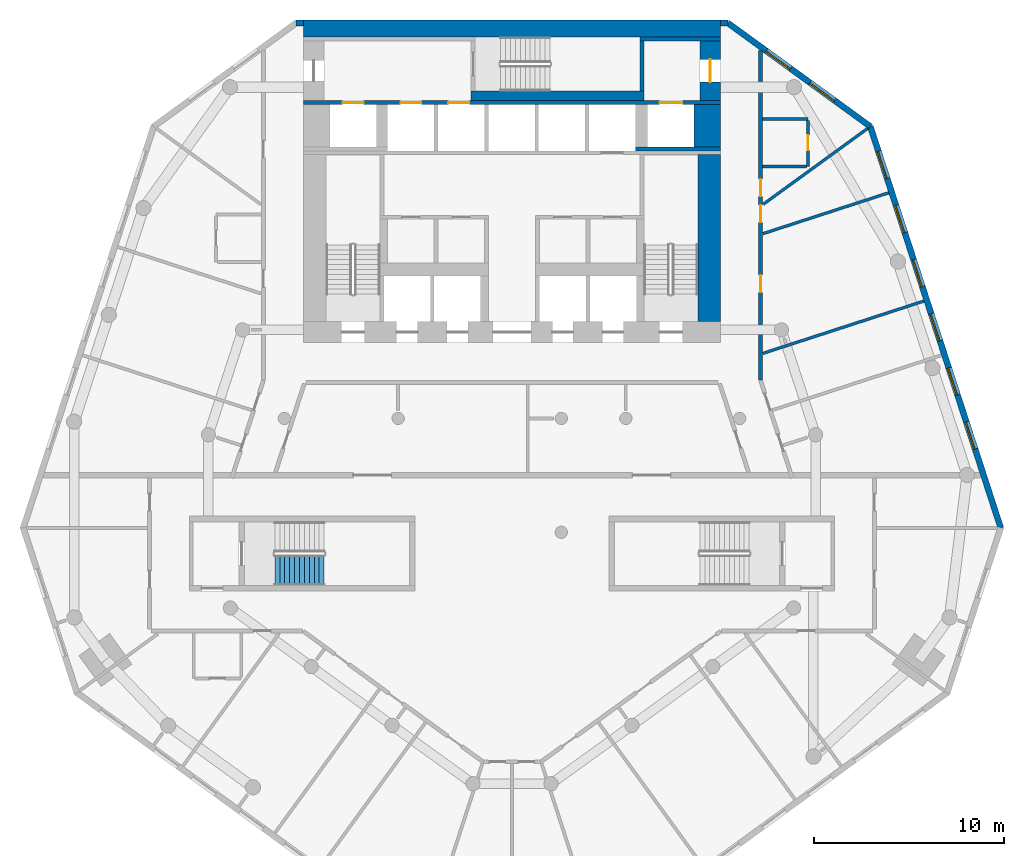
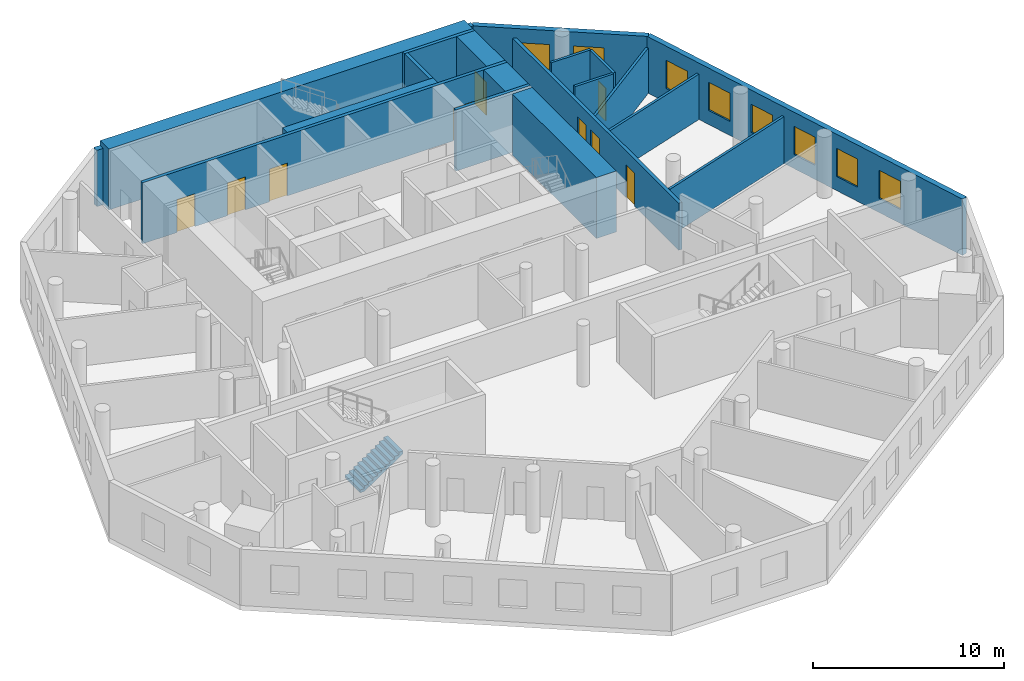
# One storey, part 6 of 9: 20 walls, 9 doors, 8 windows, 1 stair flight, 17 openings, 1 element without a shape of its own.
"""IFC4 building model written with IfcOpenShell, lengths in metres."""

from ifc_helpers import new_model, si_unit, direction, frame, frame_2d, origin, place, context, subcontext, project, spatial, polyline, rectangle, outline, extrude, material, layer, layer_set, type_object, element, fill, aggregate, save


model = new_model("IFC4")

# Units and contexts
model_context = context("Model", 3, precision=1e-05, world=origin(), true_north=direction((0.0, 1.0)))
body_context = subcontext(model_context, "Body", "Model", "MODEL_VIEW")
ifc_project = project(units=[si_unit("LENGTHUNIT", "METRE"), si_unit("AREAUNIT", "SQUARE_METRE"), si_unit("VOLUMEUNIT", "CUBIC_METRE"), si_unit("PLANEANGLEUNIT", "RADIAN"), si_unit("MASSUNIT", "GRAM", prefix="KILO")], contexts=[model_context])

# Site, building, storey
site_placement = place(None, origin())
site = spatial("IfcSite", under=ifc_project, at=site_placement, CompositionType="ELEMENT")
building_placement = place(site_placement, origin())
building = spatial("IfcBuilding", under=site, at=building_placement, Name="White Candle Pilgrim Tower", CompositionType="ELEMENT")
storey_placement = place(building_placement, frame((0.0, 0.0, 94.699951171875)))
storey = spatial("IfcBuildingStorey", under=building, at=storey_placement, Name="L20", CompositionType="ELEMENT", Elevation=94.699951171875)

# Wall, opening, door
ifc_material_1 = material(Name="Concrete C60/75", Category="concrete")
ifc_layer_1 = layer(ifc_material_1, 1.10009765625)
ifc_layer_set_1 = layer_set([ifc_layer_1], Name="Core wall 1100 mm Concrete C60/75")
wall_type_1 = type_object("IfcWallType", Name="Core wall 1100 mm Concrete C60/75", PredefinedType="SHEAR", material=ifc_layer_set_1)
wall_1_placement = place(storey_placement, frame((80.449951171875, 83.75, 0.0), z_axis=(0.0, 0.0, 1.0), x_axis=(0.0, 1.0, 0.0)))
wall_1 = element("IfcWall", 1, at=wall_1_placement, inside=storey, type_object=wall_type_1, Name="WL-L20-C46", PredefinedType="SHEAR", context=body_context, shape_type="SweptSolid", body=[
    extrude(rectangle(XDim=3.14990234375, YDim=1.10009765625, at=frame_2d((1.574951171875, 0.0))), origin(), (0.0, 0.0, 1.0), 3.900146484375),
])
opening_1_placement = place(wall_1_placement, frame((0.97509765625, 0.0, 0.0)))
opening_1 = element("IfcOpeningElement", 2, at=opening_1_placement, cuts=wall_1, Name="Opening T06-006", PredefinedType="OPENING", context=body_context, shape_type="SweptSolid", body=[
    extrude(rectangle(XDim=1.199951171875, YDim=2.10009765625, at=frame_2d((0.60009765625, 1.050048828125))), frame((0.0, 0.56005859375, 0.0), z_axis=(0.0, -1.0, 0.0), x_axis=(1.0, 0.0, 0.0)), (0.0, 0.0, 1.0), 1.1201171875),
])
ifc_material_2 = material(Name="Steel door leaf", Category="steel")
door_type_1 = type_object("IfcDoorType", Name="Fire door 1200 x 2100 EI 30", OperationType="NOTDEFINED", PredefinedType="DOOR", material=ifc_material_2)
door_1_placement = place(opening_1_placement, origin())
door_1 = element("IfcDoor", 3, at=door_1_placement, inside=storey, type_object=door_type_1, Name="Door T06-006", OperationType="SINGLE_SWING_RIGHT", OverallHeight=2.10009765625, OverallWidth=1.199951171875, PredefinedType="DOOR", context=body_context, shape_type="SweptSolid", body=[
    extrude(rectangle(XDim=1.199951171875, YDim=2.10009765625, at=frame_2d((0.60009765625, 1.050048828125))), frame((0.0, 0.02490234375, 0.0), z_axis=(0.0, -1.0, 0.0), x_axis=(1.0, 0.0, 0.0)), (0.0, 0.0, 1.0), 0.050048828125),
])
fill(opening_1, door_1)

# Walls
ifc_layer_2 = layer(ifc_material_1, 1.39990234375)
ifc_layer_set_2 = layer_set([ifc_layer_2], Name="Core wall 1400 mm Concrete C60/75")
wall_type_2 = type_object("IfcWallType", Name="Core wall 1400 mm Concrete C60/75", PredefinedType="SHEAR", material=ifc_layer_set_2)
wall_2_placement = place(storey_placement, frame((80.300048828125, 81.300048828125, 0.0), z_axis=(0.0, 0.0, 1.0), x_axis=(0.0, 1.0, 0.0)))
element("IfcWall", 4, at=wall_2_placement, inside=storey, type_object=wall_type_2, Name="WL-L20-C42", PredefinedType="SHEAR", context=body_context, shape_type="SweptSolid", body=[
    extrude(rectangle(XDim=2.25, YDim=1.39990234375, at=frame_2d((1.125, 0.0))), origin(), (0.0, 0.0, 1.0), 3.900146484375),
])
ifc_layer_3 = layer(ifc_material_1, 0.199951171875)
ifc_layer_set_3 = layer_set([ifc_layer_3], Name="Core wall 200 mm Concrete C60/75")
wall_type_3 = type_object("IfcWallType", Name="Core wall 200 mm Concrete C60/75", PredefinedType="SHEAR", material=ifc_layer_set_3)
wall_3_placement = place(storey_placement, frame((76.5, 81.199951171875, 0.0), z_axis=(0.0, 0.0, 1.0), x_axis=(1.0, 0.0, 0.0)))
element("IfcWall", 5, at=wall_3_placement, inside=storey, type_object=wall_type_3, Name="WL-L20-C38", PredefinedType="SHEAR", context=body_context, shape_type="SweptSolid", body=[
    extrude(rectangle(XDim=4.5, YDim=0.199951171875, at=frame_2d((2.25, 0.0))), origin(), (0.0, 0.0, 1.0), 3.900146484375),
])

# Wall, openings, doors
wall_4_placement = place(storey_placement, frame((59.0, 83.64990234375, 0.0), z_axis=(0.0, 0.0, 1.0), x_axis=(1.0, 0.0, 0.0)))
wall_4 = element("IfcWall", 6, at=wall_4_placement, inside=storey, type_object=wall_type_3, Name="WL-L20-C43", PredefinedType="SHEAR", context=body_context, shape_type="SweptSolid", body=[
    extrude(rectangle(XDim=22.0, YDim=0.199951171875, at=frame_2d((11.0, 0.0))), origin(), (0.0, 0.0, 1.0), 3.900146484375),
])
opening_2_placement = place(wall_4_placement, frame((5.125, 0.0, 0.0)))
opening_2 = element("IfcOpeningElement", 7, at=opening_2_placement, cuts=wall_4, Name="Opening T06-011", PredefinedType="OPENING", context=body_context, shape_type="SweptSolid", body=[
    extrude(rectangle(XDim=1.10009765625, YDim=2.10009765625, at=frame_2d((0.550048828125, 1.050048828125))), frame((0.0, 0.10986328125, 0.0), z_axis=(0.0, -1.0, 0.0), x_axis=(1.0, 0.0, 0.0)), (0.0, 0.0, 1.0), 0.219970703125),
])
opening_3_placement = place(wall_4_placement, frame((7.64990234375, 0.0, 0.0)))
opening_3 = element("IfcOpeningElement", 8, at=opening_3_placement, cuts=wall_4, Name="Opening T06-012", PredefinedType="OPENING", context=body_context, shape_type="SweptSolid", body=[
    extrude(rectangle(XDim=1.10009765625, YDim=2.10009765625, at=frame_2d((0.550048828125, 1.050048828125))), frame((0.0, 0.10986328125, 0.0), z_axis=(0.0, -1.0, 0.0), x_axis=(1.0, 0.0, 0.0)), (0.0, 0.0, 1.0), 0.219970703125),
])
opening_4_placement = place(wall_4_placement, frame((18.77490234375, 0.0, 0.0)))
opening_4 = element("IfcOpeningElement", 9, at=opening_4_placement, cuts=wall_4, Name="Opening T06-018", PredefinedType="OPENING", context=body_context, shape_type="SweptSolid", body=[
    extrude(rectangle(XDim=1.199951171875, YDim=2.10009765625, at=frame_2d((0.60009765625, 1.050048828125))), frame((0.0, 0.10986328125, 0.0), z_axis=(0.0, -1.0, 0.0), x_axis=(1.0, 0.0, 0.0)), (0.0, 0.0, 1.0), 0.219970703125),
])
opening_5_placement = place(wall_4_placement, frame((2.074951171875, 0.0, 0.0)))
opening_5 = element("IfcOpeningElement", 10, at=opening_5_placement, cuts=wall_4, Name="Opening T06-019", PredefinedType="OPENING", context=body_context, shape_type="SweptSolid", body=[
    extrude(rectangle(XDim=1.10009765625, YDim=2.10009765625, at=frame_2d((0.550048828125, 1.050048828125))), frame((0.0, 0.10986328125, 0.0), z_axis=(0.0, -1.0, 0.0), x_axis=(1.0, 0.0, 0.0)), (0.0, 0.0, 1.0), 0.219970703125),
])
ifc_material_3 = material(Name="Stainless steel", Category="steel")
door_type_2 = type_object("IfcDoorType", Name="Lift landing door 1100 x 2100 EI 60", OperationType="DOUBLE_DOOR_SLIDING", PredefinedType="DOOR", material=ifc_material_3)
door_2_placement = place(opening_2_placement, origin())
door_2 = element("IfcDoor", 11, at=door_2_placement, inside=storey, type_object=door_type_2, Name="Door T06-011", OperationType="DOUBLE_DOOR_SLIDING", OverallHeight=2.10009765625, OverallWidth=1.10009765625, PredefinedType="DOOR", context=body_context, shape_type="SweptSolid", body=[
    extrude(rectangle(XDim=1.10009765625, YDim=2.10009765625, at=frame_2d((0.550048828125, 1.050048828125))), frame((0.0, 0.02490234375, 0.0), z_axis=(0.0, -1.0, 0.0), x_axis=(1.0, 0.0, 0.0)), (0.0, 0.0, 1.0), 0.050048828125),
])
fill(opening_2, door_2)
door_3_placement = place(opening_3_placement, origin())
door_3 = element("IfcDoor", 12, at=door_3_placement, inside=storey, type_object=door_type_2, Name="Door T06-012", OperationType="DOUBLE_DOOR_SLIDING", OverallHeight=2.10009765625, OverallWidth=1.10009765625, PredefinedType="DOOR", context=body_context, shape_type="SweptSolid", body=[
    extrude(rectangle(XDim=1.10009765625, YDim=2.10009765625, at=frame_2d((0.550048828125, 1.050048828125))), frame((0.0, 0.02490234375, 0.0), z_axis=(0.0, -1.0, 0.0), x_axis=(1.0, 0.0, 0.0)), (0.0, 0.0, 1.0), 0.050048828125),
])
fill(opening_3, door_3)
door_4_placement = place(opening_5_placement, origin())
door_4 = element("IfcDoor", 13, at=door_4_placement, inside=storey, type_object=door_type_2, Name="Door T06-019", OperationType="DOUBLE_DOOR_SLIDING", OverallHeight=2.10009765625, OverallWidth=1.10009765625, PredefinedType="DOOR", context=body_context, shape_type="SweptSolid", body=[
    extrude(rectangle(XDim=1.10009765625, YDim=2.10009765625, at=frame_2d((0.550048828125, 1.050048828125))), frame((0.0, 0.02490234375, 0.0), z_axis=(0.0, -1.0, 0.0), x_axis=(1.0, 0.0, 0.0)), (0.0, 0.0, 1.0), 0.050048828125),
])
fill(opening_5, door_4)
door_type_3 = type_object("IfcDoorType", Name="Lift landing door 1200 x 2100 E 60", OperationType="DOUBLE_DOOR_SLIDING", PredefinedType="DOOR", material=ifc_material_3)
door_5_placement = place(opening_4_placement, origin())
door_5 = element("IfcDoor", 14, at=door_5_placement, inside=storey, type_object=door_type_3, Name="Door T06-018", OperationType="DOUBLE_DOOR_SLIDING", OverallHeight=2.10009765625, OverallWidth=1.199951171875, PredefinedType="DOOR", context=body_context, shape_type="SweptSolid", body=[
    extrude(rectangle(XDim=1.199951171875, YDim=2.10009765625, at=frame_2d((0.60009765625, 1.050048828125))), frame((0.0, 0.02490234375, 0.0), z_axis=(0.0, -1.0, 0.0), x_axis=(1.0, 0.0, 0.0)), (0.0, 0.0, 1.0), 0.050048828125),
])
fill(opening_4, door_5)

ifc_material_4 = material(Name="Gypsum board on steel studs", Category="steel")
ifc_layer_4 = layer(ifc_material_4, 0.199951171875)
ifc_layer_set_4 = layer_set([ifc_layer_4], Name="Corridor wall 200 mm EI 45")
wall_type_4 = type_object("IfcWallType", Name="Corridor wall 200 mm EI 45", PredefinedType="PARTITIONING", material=ifc_layer_set_4)
wall_5_placement = place(storey_placement, frame((83.10009765625, 86.396240234375, 0.0), z_axis=(0.0, 0.0, 1.0), x_axis=(0.0, -1.0, 0.0)))
wall_5 = element("IfcWall", 15, at=wall_5_placement, inside=storey, type_object=wall_type_4, Name="WL-L20-P004", PredefinedType="PARTITIONING", context=body_context, shape_type="SweptSolid", body=[
    extrude(rectangle(XDim=17.37451171875, YDim=0.199951171875, at=frame_2d((8.687255859375, 0.0))), origin(), (0.0, 0.0, 1.0), 3.0),
])
opening_6_placement = place(wall_5_placement, frame((6.785888671875, 0.0, 0.0)))
opening_6 = element("IfcOpeningElement", 16, at=opening_6_placement, cuts=wall_5, Name="Opening T06-123", PredefinedType="OPENING", context=body_context, shape_type="SweptSolid", body=[
    extrude(rectangle(XDim=0.89990234375, YDim=2.10009765625, at=frame_2d((0.449951171875, 1.050048828125))), frame((0.0, 0.10986328125, 0.0), z_axis=(0.0, -1.0, 0.0), x_axis=(1.0, 0.0, 0.0)), (0.0, 0.0, 1.0), 0.219970703125),
])
opening_7_placement = place(wall_5_placement, frame((8.156494140625, 0.0, 0.0)))
opening_7 = element("IfcOpeningElement", 17, at=opening_7_placement, cuts=wall_5, Name="Opening T06-124", PredefinedType="OPENING", context=body_context, shape_type="SweptSolid", body=[
    extrude(rectangle(XDim=0.89990234375, YDim=2.10009765625, at=frame_2d((0.449951171875, 1.050048828125))), frame((0.0, 0.10986328125, 0.0), z_axis=(0.0, -1.0, 0.0), x_axis=(1.0, 0.0, 0.0)), (0.0, 0.0, 1.0), 0.219970703125),
])
opening_8_placement = place(wall_5_placement, frame((11.8486328125, 0.0, 0.0)))
opening_8 = element("IfcOpeningElement", 18, at=opening_8_placement, cuts=wall_5, Name="Opening T06-125", PredefinedType="OPENING", context=body_context, shape_type="SweptSolid", body=[
    extrude(rectangle(XDim=0.89990234375, YDim=2.10009765625, at=frame_2d((0.449951171875, 1.050048828125))), frame((0.0, 0.10986328125, 0.0), z_axis=(0.0, -1.0, 0.0), x_axis=(1.0, 0.0, 0.0)), (0.0, 0.0, 1.0), 0.219970703125),
])
door_type_4 = type_object("IfcDoorType", Name="Fire door 900 x 2100 EI 30", OperationType="NOTDEFINED", PredefinedType="DOOR", material=ifc_material_2)
door_6_placement = place(opening_6_placement, origin())
door_6 = element("IfcDoor", 19, at=door_6_placement, inside=storey, type_object=door_type_4, Name="Door T06-123", OperationType="SINGLE_SWING_LEFT", OverallHeight=2.10009765625, OverallWidth=0.89990234375, PredefinedType="DOOR", context=body_context, shape_type="SweptSolid", body=[
    extrude(rectangle(XDim=0.89990234375, YDim=2.10009765625, at=frame_2d((0.449951171875, 1.050048828125))), frame((0.0, 0.02490234375, 0.0), z_axis=(0.0, -1.0, 0.0), x_axis=(1.0, 0.0, 0.0)), (0.0, 0.0, 1.0), 0.050048828125),
])
fill(opening_6, door_6)
door_7_placement = place(opening_7_placement, origin())
door_7 = element("IfcDoor", 20, at=door_7_placement, inside=storey, type_object=door_type_4, Name="Door T06-124", OperationType="SINGLE_SWING_RIGHT", OverallHeight=2.10009765625, OverallWidth=0.89990234375, PredefinedType="DOOR", context=body_context, shape_type="SweptSolid", body=[
    extrude(rectangle(XDim=0.89990234375, YDim=2.10009765625, at=frame_2d((0.449951171875, 1.050048828125))), frame((0.0, 0.02490234375, 0.0), z_axis=(0.0, -1.0, 0.0), x_axis=(1.0, 0.0, 0.0)), (0.0, 0.0, 1.0), 0.050048828125),
])
fill(opening_7, door_7)
door_8_placement = place(opening_8_placement, origin())
door_8 = element("IfcDoor", 21, at=door_8_placement, inside=storey, type_object=door_type_4, Name="Door T06-125", OperationType="SINGLE_SWING_LEFT", OverallHeight=2.10009765625, OverallWidth=0.89990234375, PredefinedType="DOOR", context=body_context, shape_type="SweptSolid", body=[
    extrude(rectangle(XDim=0.89990234375, YDim=2.10009765625, at=frame_2d((0.449951171875, 1.050048828125))), frame((0.0, 0.02490234375, 0.0), z_axis=(0.0, -1.0, 0.0), x_axis=(1.0, 0.0, 0.0)), (0.0, 0.0, 1.0), 0.050048828125),
])
fill(opening_8, door_8)

# Wall, openings, windows
ifc_material_5 = material(Name="Precast concrete C40/50", Category="concrete")
ifc_layer_5 = layer(ifc_material_5, 0.320068359375)
ifc_layer_set_5 = layer_set([ifc_layer_5], Name="Facade wall EW1 precast concrete C40/50 pier wall with timber-lined reveals")
wall_type_5 = type_object("IfcWallType", Name="Facade wall EW1 precast concrete C40/50 pier wall with timber-lined reveals", PredefinedType="SOLIDWALL", material=ifc_layer_set_5)
wall_6_placement = place(storey_placement, frame((95.762451171875, 61.230712890625, 0.0), z_axis=(0.0, 0.0, 1.0), x_axis=(-0.309018577053, 0.95105600205, 0.0)))
wall_6 = element("IfcWall", 22, at=wall_6_placement, inside=storey, type_object=wall_type_5, Name="Facade wall L20 ENE", PredefinedType="SOLIDWALL", context=body_context, shape_type="SweptSolid", body=[
    extrude(rectangle(XDim=22.2470703125, YDim=0.320068359375, at=frame_2d((11.12353515625, 0.0))), origin(), (0.0, 0.0, 1.0), 3.60009765625),
])
opening_9_placement = place(wall_6_placement, frame((4.37353515625, 0.0, 0.89990234375)))
opening_9 = element("IfcOpeningElement", 23, at=opening_9_placement, cuts=wall_6, Name="Opening W1", PredefinedType="OPENING", context=body_context, shape_type="SweptSolid", body=[
    extrude(rectangle(XDim=1.5, YDim=1.800048828125, at=frame_2d((0.75, 0.89990234375))), frame((0.0, 0.169921875, 0.0), z_axis=(0.0, -1.0, 0.0), x_axis=(1.0, 0.0, 0.0)), (0.0, 0.0, 1.0), 0.340087890625),
])
opening_10_placement = place(wall_6_placement, frame((7.37353515625, 0.0, 0.89990234375)))
opening_10 = element("IfcOpeningElement", 24, at=opening_10_placement, cuts=wall_6, Name="Opening W1", PredefinedType="OPENING", context=body_context, shape_type="SweptSolid", body=[
    extrude(rectangle(XDim=1.5, YDim=1.800048828125, at=frame_2d((0.75, 0.89990234375))), frame((0.0, 0.169921875, 0.0), z_axis=(0.0, -1.0, 0.0), x_axis=(1.0, 0.0, 0.0)), (0.0, 0.0, 1.0), 0.340087890625),
])
opening_11_placement = place(wall_6_placement, frame((10.37353515625, 0.0, 0.89990234375)))
opening_11 = element("IfcOpeningElement", 25, at=opening_11_placement, cuts=wall_6, Name="Opening W1", PredefinedType="OPENING", context=body_context, shape_type="SweptSolid", body=[
    extrude(rectangle(XDim=1.5, YDim=1.800048828125, at=frame_2d((0.75, 0.89990234375))), frame((0.0, 0.169921875, 0.0), z_axis=(0.0, -1.0, 0.0), x_axis=(1.0, 0.0, 0.0)), (0.0, 0.0, 1.0), 0.340087890625),
])
opening_12_placement = place(wall_6_placement, frame((13.37353515625, 0.0, 0.89990234375)))
opening_12 = element("IfcOpeningElement", 26, at=opening_12_placement, cuts=wall_6, Name="Opening W1", PredefinedType="OPENING", context=body_context, shape_type="SweptSolid", body=[
    extrude(rectangle(XDim=1.5, YDim=1.800048828125, at=frame_2d((0.75, 0.89990234375))), frame((0.0, 0.169921875, 0.0), z_axis=(0.0, -1.0, 0.0), x_axis=(1.0, 0.0, 0.0)), (0.0, 0.0, 1.0), 0.340087890625),
])
opening_13_placement = place(wall_6_placement, frame((16.37353515625, 0.0, 0.89990234375)))
opening_13 = element("IfcOpeningElement", 27, at=opening_13_placement, cuts=wall_6, Name="Opening W1", PredefinedType="OPENING", context=body_context, shape_type="SweptSolid", body=[
    extrude(rectangle(XDim=1.5, YDim=1.800048828125, at=frame_2d((0.75, 0.89990234375))), frame((0.0, 0.169921875, 0.0), z_axis=(0.0, -1.0, 0.0), x_axis=(1.0, 0.0, 0.0)), (0.0, 0.0, 1.0), 0.340087890625),
])
opening_14_placement = place(wall_6_placement, frame((19.37353515625, 0.0, 0.89990234375)))
opening_14 = element("IfcOpeningElement", 28, at=opening_14_placement, cuts=wall_6, Name="Opening W1", PredefinedType="OPENING", context=body_context, shape_type="SweptSolid", body=[
    extrude(rectangle(XDim=1.5, YDim=1.800048828125, at=frame_2d((0.75, 0.89990234375))), frame((0.0, 0.169921875, 0.0), z_axis=(0.0, -1.0, 0.0), x_axis=(1.0, 0.0, 0.0)), (0.0, 0.0, 1.0), 0.340087890625),
])
ifc_material_6 = material(Name="Timber frame with triple glazing", Category="wood")
window_type_1 = type_object("IfcWindowType", Name="Window W1 1500x1800 timber frame triple glazing", PartitioningType="SINGLE_PANEL", PredefinedType="WINDOW", material=ifc_material_6)
window_1_placement = place(opening_9_placement, origin())
window_1 = element("IfcWindow", 29, at=window_1_placement, inside=storey, type_object=window_type_1, Name="Window W1 L20 ENE 2", OverallHeight=1.800048828125, OverallWidth=1.5, PartitioningType="SINGLE_PANEL", PredefinedType="WINDOW", context=body_context, shape_type="SweptSolid", body=[
    extrude(rectangle(XDim=1.5, YDim=1.800048828125, at=frame_2d((0.75, 0.89990234375))), frame((0.0, 0.070068359375, 0.0), z_axis=(0.0, -1.0, 0.0), x_axis=(1.0, 0.0, 0.0)), (0.0, 0.0, 1.0), 0.06005859375),
])
fill(opening_9, window_1)
window_2_placement = place(opening_10_placement, origin())
window_2 = element("IfcWindow", 30, at=window_2_placement, inside=storey, type_object=window_type_1, Name="Window W1 L20 ENE 3", OverallHeight=1.800048828125, OverallWidth=1.5, PartitioningType="SINGLE_PANEL", PredefinedType="WINDOW", context=body_context, shape_type="SweptSolid", body=[
    extrude(rectangle(XDim=1.5, YDim=1.800048828125, at=frame_2d((0.75, 0.89990234375))), frame((0.0, 0.070068359375, 0.0), z_axis=(0.0, -1.0, 0.0), x_axis=(1.0, 0.0, 0.0)), (0.0, 0.0, 1.0), 0.06005859375),
])
fill(opening_10, window_2)
window_3_placement = place(opening_11_placement, origin())
window_3 = element("IfcWindow", 31, at=window_3_placement, inside=storey, type_object=window_type_1, Name="Window W1 L20 ENE 4", OverallHeight=1.800048828125, OverallWidth=1.5, PartitioningType="SINGLE_PANEL", PredefinedType="WINDOW", context=body_context, shape_type="SweptSolid", body=[
    extrude(rectangle(XDim=1.5, YDim=1.800048828125, at=frame_2d((0.75, 0.89990234375))), frame((0.0, 0.070068359375, 0.0), z_axis=(0.0, -1.0, 0.0), x_axis=(1.0, 0.0, 0.0)), (0.0, 0.0, 1.0), 0.06005859375),
])
fill(opening_11, window_3)
window_4_placement = place(opening_12_placement, origin())
window_4 = element("IfcWindow", 32, at=window_4_placement, inside=storey, type_object=window_type_1, Name="Window W1 L20 ENE 5", OverallHeight=1.800048828125, OverallWidth=1.5, PartitioningType="SINGLE_PANEL", PredefinedType="WINDOW", context=body_context, shape_type="SweptSolid", body=[
    extrude(rectangle(XDim=1.5, YDim=1.800048828125, at=frame_2d((0.75, 0.89990234375))), frame((0.0, 0.070068359375, 0.0), z_axis=(0.0, -1.0, 0.0), x_axis=(1.0, 0.0, 0.0)), (0.0, 0.0, 1.0), 0.06005859375),
])
fill(opening_12, window_4)
window_5_placement = place(opening_13_placement, origin())
window_5 = element("IfcWindow", 33, at=window_5_placement, inside=storey, type_object=window_type_1, Name="Window W1 L20 ENE 6", OverallHeight=1.800048828125, OverallWidth=1.5, PartitioningType="SINGLE_PANEL", PredefinedType="WINDOW", context=body_context, shape_type="SweptSolid", body=[
    extrude(rectangle(XDim=1.5, YDim=1.800048828125, at=frame_2d((0.75, 0.89990234375))), frame((0.0, 0.070068359375, 0.0), z_axis=(0.0, -1.0, 0.0), x_axis=(1.0, 0.0, 0.0)), (0.0, 0.0, 1.0), 0.06005859375),
])
fill(opening_13, window_5)
window_6_placement = place(opening_14_placement, origin())
window_6 = element("IfcWindow", 34, at=window_6_placement, inside=storey, type_object=window_type_1, Name="Window W1 L20 ENE 7", OverallHeight=1.800048828125, OverallWidth=1.5, PartitioningType="SINGLE_PANEL", PredefinedType="WINDOW", context=body_context, shape_type="SweptSolid", body=[
    extrude(rectangle(XDim=1.5, YDim=1.800048828125, at=frame_2d((0.75, 0.89990234375))), frame((0.0, 0.070068359375, 0.0), z_axis=(0.0, -1.0, 0.0), x_axis=(1.0, 0.0, 0.0)), (0.0, 0.0, 1.0), 0.06005859375),
])
fill(opening_14, window_6)

wall_7_placement = place(storey_placement, frame((88.8876953125, 82.388916015625, 0.0), z_axis=(0.0, 0.0, 1.0), x_axis=(-0.809009213142, 0.587795962092, 0.0)))
wall_7 = element("IfcWall", 35, at=wall_7_placement, inside=storey, type_object=wall_type_5, Name="Facade wall L20 NE chamfer", PredefinedType="SOLIDWALL", context=body_context, shape_type="SweptSolid", body=[
    extrude(rectangle(XDim=9.27392578125, YDim=0.320068359375, at=frame_2d((4.636962890625, 0.0))), origin(), (0.0, 0.0, 1.0), 3.60009765625),
])
opening_15_placement = place(wall_7_placement, frame((2.3369140625, 0.0, 0.89990234375)))
opening_15 = element("IfcOpeningElement", 36, at=opening_15_placement, cuts=wall_7, Name="Opening W2", PredefinedType="OPENING", context=body_context, shape_type="SweptSolid", body=[
    extrude(rectangle(XDim=1.60009765625, YDim=1.800048828125, at=frame_2d((0.800048828125, 0.89990234375))), frame((0.0, 0.169921875, 0.0), z_axis=(0.0, -1.0, 0.0), x_axis=(1.0, 0.0, 0.0)), (0.0, 0.0, 1.0), 0.340087890625),
])
opening_16_placement = place(wall_7_placement, frame((5.18701171875, 0.0, 0.89990234375)))
opening_16 = element("IfcOpeningElement", 37, at=opening_16_placement, cuts=wall_7, Name="Opening W2", PredefinedType="OPENING", context=body_context, shape_type="SweptSolid", body=[
    extrude(rectangle(XDim=1.60009765625, YDim=1.800048828125, at=frame_2d((0.800048828125, 0.89990234375))), frame((0.0, 0.169921875, 0.0), z_axis=(0.0, -1.0, 0.0), x_axis=(1.0, 0.0, 0.0)), (0.0, 0.0, 1.0), 0.340087890625),
])
window_type_2 = type_object("IfcWindowType", Name="Window W2 1600x1800 timber frame triple glazing", PartitioningType="SINGLE_PANEL", PredefinedType="WINDOW", material=ifc_material_6)
window_7_placement = place(opening_15_placement, origin())
window_7 = element("IfcWindow", 38, at=window_7_placement, inside=storey, type_object=window_type_2, Name="Window W2 L20 NE chamfer 1", OverallHeight=1.800048828125, OverallWidth=1.60009765625, PartitioningType="SINGLE_PANEL", PredefinedType="WINDOW", context=body_context, shape_type="SweptSolid", body=[
    extrude(rectangle(XDim=1.60009765625, YDim=1.800048828125, at=frame_2d((0.800048828125, 0.89990234375))), frame((0.0, 0.070068359375, 0.0), z_axis=(0.0, -1.0, 0.0), x_axis=(1.0, 0.0, 0.0)), (0.0, 0.0, 1.0), 0.06005859375),
])
fill(opening_15, window_7)
window_8_placement = place(opening_16_placement, origin())
window_8 = element("IfcWindow", 39, at=window_8_placement, inside=storey, type_object=window_type_2, Name="Window W2 L20 NE chamfer 2", OverallHeight=1.800048828125, OverallWidth=1.60009765625, PartitioningType="SINGLE_PANEL", PredefinedType="WINDOW", context=body_context, shape_type="SweptSolid", body=[
    extrude(rectangle(XDim=1.60009765625, YDim=1.800048828125, at=frame_2d((0.800048828125, 0.89990234375))), frame((0.0, 0.070068359375, 0.0), z_axis=(0.0, -1.0, 0.0), x_axis=(1.0, 0.0, 0.0)), (0.0, 0.0, 1.0), 0.06005859375),
])
fill(opening_16, window_8)

# Walls
for number, where, z_axis, x_axis, name in (
    (40, (81.385009765625, 87.840087890625, 0.0), (0.0, 0.0, 1.0), (-1.0, 0.0, 0.0), "Facade wall L20 N"),
    (41, (59.0, 87.840087890625, 0.0), (0.0, 0.0, 1.0), (-1.0, 0.0, 0.0), "Facade wall L20 N"),
):
    element("IfcWall", number, at=place(storey_placement, frame(where, z_axis=z_axis, x_axis=x_axis)), inside=storey, type_object=wall_type_5, Name=name, PredefinedType="SOLIDWALL", context=body_context, shape_type="SweptSolid", body=[
        extrude(rectangle(XDim=0.385009765625, YDim=0.320068359375, at=frame_2d((0.1923828125, 0.0))), origin(), (0.0, 0.0, 1.0), 3.60009765625),
    ])
ifc_layer_6 = layer(ifc_material_4, 0.14990234375)
ifc_layer_set_6 = layer_set([ifc_layer_6], Name="Partition 150 mm EI 60")
wall_type_6 = type_object("IfcWallType", Name="Partition 150 mm EI 60", PredefinedType="PARTITIONING", material=ifc_layer_set_6)
wall_8_placement = place(storey_placement, frame((88.751708984375, 82.2900390625, 0.0), z_axis=(0.0, 0.0, 1.0), x_axis=(-0.809035290939, -0.587760068408, 0.0)))
element("IfcWall", 42, at=wall_8_placement, inside=storey, type_object=wall_type_6, Name="WL-L20-P023", PredefinedType="PARTITIONING", context=body_context, shape_type="SweptSolid", body=[
    extrude(rectangle(XDim=6.8076171875, YDim=0.14990234375, at=frame_2d((3.40380859375, 0.0))), origin(), (0.0, 0.0, 1.0), 2.900146484375),
])
wall_9_placement = place(storey_placement, frame((91.70947265625, 73.18701171875, 0.0), z_axis=(0.0, 0.0, 1.0), x_axis=(-0.951058193987, -0.309011830923, 0.0)))
element("IfcWall", 43, at=wall_9_placement, inside=storey, type_object=wall_type_6, Name="WL-L20-P040", PredefinedType="PARTITIONING", context=body_context, shape_type="SweptSolid", body=[
    extrude(rectangle(XDim=8.923095703125, YDim=0.14990234375, at=frame_2d((4.46142578125, 0.0))), origin(), (0.0, 0.0, 1.0), 3.0),
])
wall_10_placement = place(storey_placement, frame((89.855224609375, 78.893310546875, 0.0), z_axis=(0.0, 0.0, 1.0), x_axis=(-0.951050790673, -0.309034615471, 0.0)))
element("IfcWall", 44, at=wall_10_placement, inside=storey, type_object=wall_type_6, Name="WL-L20-P041", PredefinedType="PARTITIONING", context=body_context, shape_type="SweptSolid", body=[
    extrude(rectangle(XDim=6.973388671875, YDim=0.14990234375, at=frame_2d((3.48681640625, 0.0))), origin(), (0.0, 0.0, 1.0), 2.900146484375),
])
wall_11_placement = place(storey_placement, frame((83.199951171875, 82.783935546875, 0.0), z_axis=(0.0, 0.0, 1.0), x_axis=(1.0, 0.0, 0.0)))
element("IfcWall", 45, at=wall_11_placement, inside=storey, type_object=wall_type_6, Name="WL-L20-P042", PredefinedType="PARTITIONING", context=body_context, shape_type="SweptSolid", body=[
    extrude(rectangle(XDim=2.400146484375, YDim=0.14990234375, at=frame_2d((1.2001953125, 0.0))), origin(), (0.0, 0.0, 1.0), 3.60009765625),
])

# Wall, opening, door
wall_12_placement = place(storey_placement, frame((85.60009765625, 80.283935546875, 0.0), z_axis=(0.0, 0.0, 1.0), x_axis=(0.0, 1.0, 0.0)))
wall_12 = element("IfcWall", 46, at=wall_12_placement, inside=storey, type_object=wall_type_6, Name="WL-L20-P043", PredefinedType="PARTITIONING", context=body_context, shape_type="SweptSolid", body=[
    extrude(rectangle(XDim=2.425048828125, YDim=0.14990234375, at=frame_2d((1.21240234375, 0.0))), origin(), (0.0, 0.0, 1.0), 3.60009765625),
])
opening_17_placement = place(wall_12_placement, frame((0.85009765625, 0.0, 0.0)))
opening_17 = element("IfcOpeningElement", 47, at=opening_17_placement, cuts=wall_12, Name="Opening T06-115", PredefinedType="OPENING", context=body_context, shape_type="SweptSolid", body=[
    extrude(rectangle(XDim=0.800048828125, YDim=2.10009765625, at=frame_2d((0.39990234375, 1.050048828125))), frame((0.0, 0.0849609375, 0.0), z_axis=(0.0, -1.0, 0.0), x_axis=(1.0, 0.0, 0.0)), (0.0, 0.0, 1.0), 0.169921875),
])
door_type_5 = type_object("IfcDoorType", Name="Fire door 800 x 2100 EI 30", OperationType="NOTDEFINED", PredefinedType="DOOR", material=ifc_material_2)
door_9_placement = place(opening_17_placement, frame((0.800048828125, 0.0, 0.0), z_axis=(0.0, 0.0, 1.0), x_axis=(-1.0, 0.0, 0.0)))
door_9 = element("IfcDoor", 48, at=door_9_placement, inside=storey, type_object=door_type_5, Name="Door T06-115", OperationType="SINGLE_SWING_RIGHT", OverallHeight=2.10009765625, OverallWidth=0.800048828125, PredefinedType="DOOR", context=body_context, shape_type="SweptSolid", body=[
    extrude(rectangle(XDim=0.800048828125, YDim=2.10009765625, at=frame_2d((0.39990234375, 1.050048828125))), frame((0.0, 0.02490234375, 0.0), z_axis=(0.0, -1.0, 0.0), x_axis=(1.0, 0.0, 0.0)), (0.0, 0.0, 1.0), 0.050048828125),
])
fill(opening_17, door_9)

# Walls
wall_13_placement = place(storey_placement, frame((83.199951171875, 80.283935546875, 0.0), z_axis=(0.0, 0.0, 1.0), x_axis=(1.0, 0.0, 0.0)))
element("IfcWall", 49, at=wall_13_placement, inside=storey, type_object=wall_type_6, Name="WL-L20-P044", PredefinedType="PARTITIONING", context=body_context, shape_type="SweptSolid", body=[
    extrude(rectangle(XDim=2.324951171875, YDim=0.14990234375, at=frame_2d((1.16259765625, 0.0))), origin(), (0.0, 0.0, 1.0), 3.60009765625),
])
ifc_layer_7 = layer(ifc_material_1, 1.199951171875)
ifc_layer_set_7 = layer_set([ifc_layer_7], Name="Stair shaft wall 1200 mm Concrete C60/75")
wall_type_7 = type_object("IfcWallType", Name="Stair shaft wall 1200 mm Concrete C60/75", PredefinedType="SHEAR", material=ifc_layer_set_7)
wall_14_placement = place(storey_placement, frame((80.39990234375, 72.10009765625, 0.0), z_axis=(0.0, 0.0, 1.0), x_axis=(0.0, 1.0, 0.0)))
element("IfcWall", 50, at=wall_14_placement, inside=storey, type_object=wall_type_7, Name="WL-L20-C19", PredefinedType="SHEAR", context=body_context, shape_type="SweptSolid", body=[
    extrude(rectangle(XDim=8.7998046875, YDim=1.199951171875, at=frame_2d((4.39990234375, 0.0))), origin(), (0.0, 0.0, 1.0), 3.900146484375),
])
ifc_layer_8 = layer(ifc_material_1, 0.199951171875)
ifc_layer_set_8 = layer_set([ifc_layer_8], Name="Stair shaft wall 200 mm Concrete C60/75")
wall_type_8 = type_object("IfcWallType", Name="Stair shaft wall 200 mm Concrete C60/75", PredefinedType="SHEAR", material=ifc_layer_set_8)
wall_15_placement = place(storey_placement, frame((76.85009765625, 84.25, 0.0), z_axis=(0.0, 0.0, 1.0), x_axis=(0.0, 1.0, 0.0)))
element("IfcWall", 51, at=wall_15_placement, inside=storey, type_object=wall_type_8, Name="WL-L20-C48", PredefinedType="SHEAR", context=body_context, shape_type="SweptSolid", body=[
    extrude(rectangle(XDim=2.64990234375, YDim=0.199951171875, at=frame_2d((1.324951171875, 0.0))), origin(), (0.0, 0.0, 1.0), 3.900146484375),
])
wall_16_placement = place(storey_placement, frame((76.75, 87.0, 0.0), z_axis=(0.0, 0.0, 1.0), x_axis=(1.0, 0.0, 0.0)))
element("IfcWall", 52, at=wall_16_placement, inside=storey, type_object=wall_type_8, Name="WL-L20-C50", PredefinedType="SHEAR", context=body_context, shape_type="SweptSolid", body=[
    extrude(rectangle(XDim=4.25, YDim=0.199951171875, at=frame_2d((2.125, 0.0))), origin(), (0.0, 0.0, 1.0), 3.900146484375),
])
ifc_layer_9 = layer(ifc_material_1, 0.5)
ifc_layer_set_9 = layer_set([ifc_layer_9], Name="Stair shaft wall 500 mm Concrete C60/75")
wall_type_9 = type_object("IfcWallType", Name="Stair shaft wall 500 mm Concrete C60/75", PredefinedType="SHEAR", material=ifc_layer_set_9)
wall_17_placement = place(storey_placement, frame((67.85009765625, 84.0, 0.0), z_axis=(0.0, 0.0, 1.0), x_axis=(1.0, 0.0, 0.0)))
element("IfcWall", 53, at=wall_17_placement, inside=storey, type_object=wall_type_9, Name="WL-L20-C45", PredefinedType="SHEAR", context=body_context, shape_type="SweptSolid", body=[
    extrude(rectangle(XDim=9.099853515625, YDim=0.5, at=frame_2d((4.5498046875, 0.0))), origin(), (0.0, 0.0, 1.0), 3.900146484375),
])
ifc_layer_10 = layer(ifc_material_1, 0.89990234375)
ifc_layer_set_10 = layer_set([ifc_layer_10], Name="Stair shaft wall 900 mm Concrete C60/75")
wall_type_10 = type_object("IfcWallType", Name="Stair shaft wall 900 mm Concrete C60/75", PredefinedType="SHEAR", material=ifc_layer_set_10)
wall_18_placement = place(storey_placement, frame((59.0, 87.550048828125, 0.0), z_axis=(0.0, 0.0, 1.0), x_axis=(1.0, 0.0, 0.0)))
element("IfcWall", 54, at=wall_18_placement, inside=storey, type_object=wall_type_10, Name="WL-L20-C51", PredefinedType="SHEAR", context=body_context, shape_type="SweptSolid", body=[
    extrude(rectangle(XDim=22.0, YDim=0.89990234375, at=frame_2d((11.0, 0.0))), origin(), (0.0, 0.0, 1.0), 3.900146484375),
])

# Stair, stair flight
ifc_material_7 = material(Name="Concrete C40/50", Category="concrete")
stair_type = type_object("IfcStairType", Name="Exit stair 5 flight width 1600 mm", PredefinedType="HALF_TURN_STAIR", material=ifc_material_7)
stair_placement = place(storey_placement, origin())
stair = element("IfcStair", 55, at=stair_placement, inside=storey, type_object=stair_type, Name="L20 stair 5", PredefinedType="NOTDEFINED")
ifc_layer_11 = layer(ifc_material_7, 0.14990234375)
ifc_layer_set_11 = layer_set([ifc_layer_11], Name="Stair flight Concrete C40/50")
stair_flight_type = type_object("IfcStairFlightType", Name="Stair flight Concrete C40/50", PredefinedType="STRAIGHT", material=ifc_layer_set_11)
stair_flight_placement = place(storey_placement, frame((57.5, 59.0, 0.0), z_axis=(0.0, 0.0, 1.0), x_axis=(1.0, 0.0, 0.0)))
stair_flight = element("IfcStairFlight", 56, at=stair_flight_placement, type_object=stair_flight_type, Name="ST5 flight 1", NumberOfRisers=11, NumberOfTreads=10, PredefinedType="NOTDEFINED", RiserHeight=0.177272727, TreadLength=0.26, context=body_context, shape_type="SweptSolid", body=[
    extrude(outline(polyline([(0.0, 0.0), (0.0, 0.17724609375), (0.260009765625, 0.17724609375), (0.260009765625, 0.3544921875), (0.52001953125, 0.3544921875), (0.52001953125, 0.53173828125), (0.780029296875, 0.53173828125), (0.780029296875, 0.708984375), (1.0400390625, 0.708984375), (1.0400390625, 0.886474609375), (1.300048828125, 0.886474609375), (1.300048828125, 1.063720703125), (1.56005859375, 1.063720703125), (1.56005859375, 1.240966796875), (1.820068359375, 1.240966796875), (1.820068359375, 1.418212890625), (2.080078125, 1.418212890625), (2.080078125, 1.595458984375), (2.340087890625, 1.595458984375), (2.340087890625, 1.772705078125), (2.60009765625, 1.772705078125), (2.60009765625, 1.949951171875), (2.60009765625, 1.59130859375), (0.26611328125, 0.0), (0.0, 0.0)])), frame((0.0, 0.800048828125, 0.0), z_axis=(0.0, -1.0, 0.0), x_axis=(1.0, 0.0, 0.0)), (0.0, 0.0, 1.0), 1.60009765625),
])
aggregate(stair, [stair_flight])

save(model, "model.ifc")
